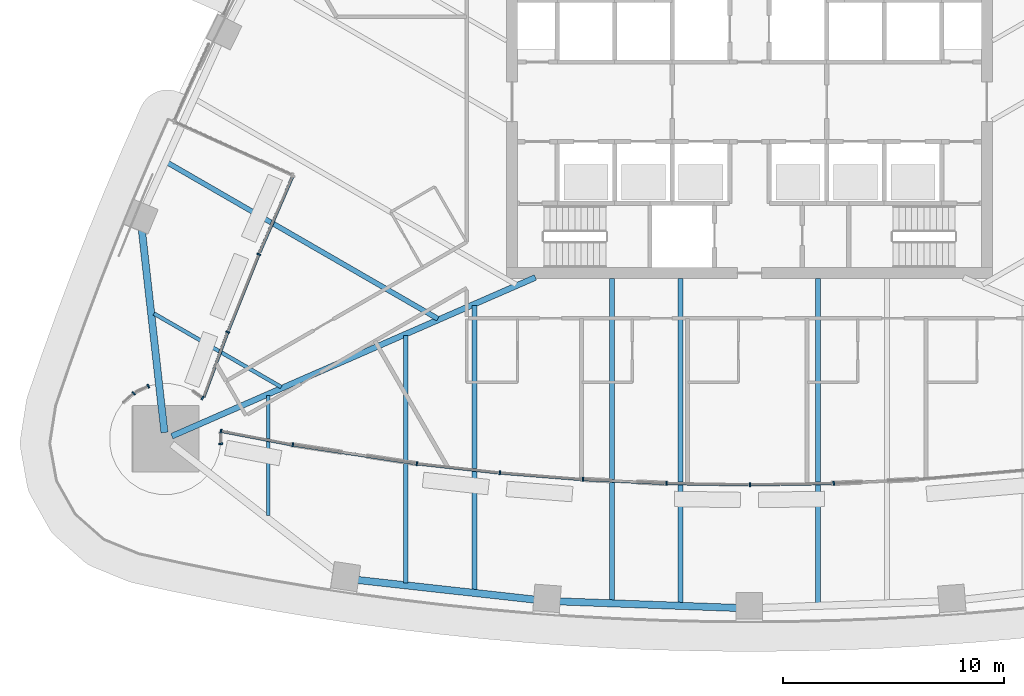
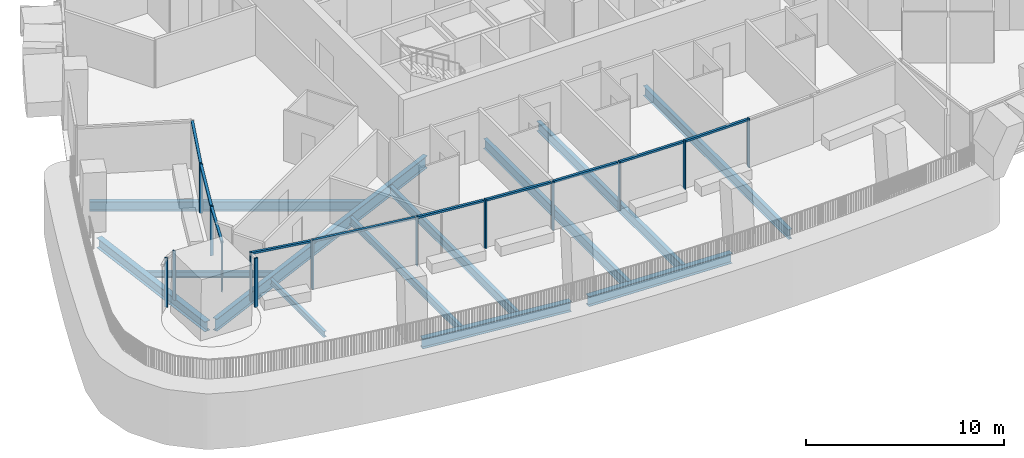
# One storey, part 2 of 22: 24 members, 12 beams, 15 elements without a shape of their own.
"""IFC4 building model written with IfcOpenShell, lengths in metres."""

from ifc_helpers import new_model, si_unit, direction, frame, origin, origin_2d, place, context, subcontext, project, spatial, rectangle, i_section, extrude, material, layer, layer_set, material_profile, profile_set, type_object, element, aggregate, save


model = new_model("IFC4")

# Units and contexts
model_context = context("Model", 3, precision=1e-05, world=origin(), true_north=direction((0.0, 1.0)))
body_context = subcontext(model_context, "Body", "Model", "MODEL_VIEW")
ifc_project = project(units=[si_unit("LENGTHUNIT", "METRE"), si_unit("AREAUNIT", "SQUARE_METRE"), si_unit("VOLUMEUNIT", "CUBIC_METRE"), si_unit("PLANEANGLEUNIT", "RADIAN"), si_unit("MASSUNIT", "GRAM", prefix="KILO")], contexts=[model_context])

# Site, building, storey
site_placement = place(None, origin())
site = spatial("IfcSite", under=ifc_project, at=site_placement, CompositionType="ELEMENT")
building_placement = place(site_placement, origin())
building = spatial("IfcBuilding", under=site, at=building_placement, Name="Sierra Prisma Convention Tower", CompositionType="ELEMENT")
storey_placement = place(building_placement, frame((0.0, 0.0, 73.89990234375)))
storey = spatial("IfcBuildingStorey", under=building, at=storey_placement, Name="L14", CompositionType="ELEMENT", Elevation=73.89990234375)

# Curtain wall, member
ifc_material_1 = material(Name="Aluminium and glass curtain wall", Category="aluminium")
ifc_layer = layer(ifc_material_1, 0.179931640625)
ifc_layer_set = layer_set([ifc_layer], Name="CW-6 Terrace recess curtain wall")
curtain_wall_type = type_object("IfcCurtainWallType", Name="CW-6 Terrace recess curtain wall", PredefinedType="NOTDEFINED", material=ifc_layer_set)
curtain_wall_1_placement = place(storey_placement, origin())
curtain_wall_1 = element("IfcCurtainWall", 1, at=curtain_wall_1_placement, inside=storey, type_object=curtain_wall_type, Name="CW-6 R2 L14", PredefinedType="NOTDEFINED")
ifc_material_2 = material(Name="Aluminium 6063-T6 bronze anodised", Category="aluminium")
ifc_material_profile_1 = material_profile(ifc_material_2, rectangle(XDim=0.179931640625, YDim=0.070068359375, at=origin_2d()), Name="ALU MULLION 70x180")
ifc_profile_set_1 = profile_set([ifc_material_profile_1], Name="Aluminium 6063-T6 bronze anodised")
member_type_1 = type_object("IfcMemberType", Name="CW mullion bronze", PredefinedType="MULLION", material=ifc_profile_set_1)
member_1_placement = place(storey_placement, frame((-22.21142578125, -6.907958984375, 0.0), z_axis=(0.0, 0.0, 1.0), x_axis=(0.928351268204, -0.371704079644, 0.0)))
member_1 = element("IfcMember", 2, at=member_1_placement, type_object=member_type_1, Name="CW-6 mullion R2.1", PredefinedType="MULLION", context=body_context, shape_type="SweptSolid", body=[
    extrude(rectangle(XDim=0.179931640625, YDim=0.070068359375, at=origin_2d()), origin(), (0.0, 0.0, 1.0), 3.0400390625),
])

curtain_wall_2_placement = place(storey_placement, origin())
curtain_wall_2 = element("IfcCurtainWall", 3, at=curtain_wall_2_placement, inside=storey, type_object=curtain_wall_type, Name="CW-6 R3 L14", PredefinedType="NOTDEFINED")
member_2_placement = place(storey_placement, frame((-23.6171875, -10.421630859375, 0.0), z_axis=(0.0, 0.0, 1.0), x_axis=(0.938138076007, -0.346261390203, 0.0)))
member_2 = element("IfcMember", 4, at=member_2_placement, type_object=member_type_1, Name="CW-6 mullion R3.1", PredefinedType="MULLION", context=body_context, shape_type="SweptSolid", body=[
    extrude(rectangle(XDim=0.179931640625, YDim=0.070068359375, at=origin_2d()), origin(), (0.0, 0.0, 1.0), 3.0400390625),
])

curtain_wall_3_placement = place(storey_placement, origin())
curtain_wall_3 = element("IfcCurtainWall", 5, at=curtain_wall_3_placement, inside=storey, type_object=curtain_wall_type, Name="CW-6 R4 L14", PredefinedType="NOTDEFINED")
member_3_placement = place(storey_placement, frame((-24.7568359375, -13.41162109375, 0.0), z_axis=(0.0, 0.0, 1.0), x_axis=(-0.58570419655, -0.810524888047, 0.0)))
member_3 = element("IfcMember", 6, at=member_3_placement, type_object=member_type_1, Name="CW-6 mullion R4.1", PredefinedType="MULLION", context=body_context, shape_type="SweptSolid", body=[
    extrude(rectangle(XDim=0.179931640625, YDim=0.070068359375, at=origin_2d()), origin(), (0.0, 0.0, 1.0), 3.0400390625),
])
aggregate(curtain_wall_3, [member_3])

curtain_wall_4_placement = place(storey_placement, origin())
curtain_wall_4 = element("IfcCurtainWall", 7, at=curtain_wall_4_placement, inside=storey, type_object=curtain_wall_type, Name="CW-6 R9 L14", PredefinedType="NOTDEFINED")
member_4_placement = place(storey_placement, frame((-27.213134765625, -12.873046875, 0.0), z_axis=(0.0, 0.0, 1.0), x_axis=(0.42755509343, -0.903989293123, 0.0)))
member_4 = element("IfcMember", 8, at=member_4_placement, type_object=member_type_1, Name="CW-6 mullion R9.1", PredefinedType="MULLION", context=body_context, shape_type="SweptSolid", body=[
    extrude(rectangle(XDim=0.179931640625, YDim=0.070068359375, at=origin_2d()), origin(), (0.0, 0.0, 1.0), 3.0400390625),
])
aggregate(curtain_wall_4, [member_4])

curtain_wall_5_placement = place(storey_placement, origin())
curtain_wall_5 = element("IfcCurtainWall", 9, at=curtain_wall_5_placement, inside=storey, type_object=curtain_wall_type, Name="CW-6 R10 L14", PredefinedType="NOTDEFINED")
member_5_placement = place(storey_placement, frame((-27.87646484375, -13.19775390625, 0.0), z_axis=(0.0, 0.0, 1.0), x_axis=(0.671558954847, -0.740951125355, 0.0)))
member_5 = element("IfcMember", 10, at=member_5_placement, type_object=member_type_1, Name="CW-6 mullion R10.1", PredefinedType="MULLION", context=body_context, shape_type="SweptSolid", body=[
    extrude(rectangle(XDim=0.179931640625, YDim=0.070068359375, at=origin_2d()), origin(), (0.0, 0.0, 1.0), 3.0400390625),
])
aggregate(curtain_wall_5, [member_5])

curtain_wall_6_placement = place(storey_placement, origin())
curtain_wall_6 = element("IfcCurtainWall", 11, at=curtain_wall_6_placement, inside=storey, type_object=curtain_wall_type, Name="CW-6 R30 L14", PredefinedType="NOTDEFINED")
member_6_placement = place(storey_placement, frame((-23.94140625, -15.48291015625, 0.0), z_axis=(0.0, 0.0, 1.0), x_axis=(-0.999576705672, -0.029093117348, 0.0)))
member_6 = element("IfcMember", 12, at=member_6_placement, type_object=member_type_1, Name="CW-6 mullion R30.1", PredefinedType="MULLION", context=body_context, shape_type="SweptSolid", body=[
    extrude(rectangle(XDim=0.179931640625, YDim=0.070068359375, at=origin_2d()), origin(), (0.0, 0.0, 1.0), 3.0400390625),
])
aggregate(curtain_wall_6, [member_6])

curtain_wall_7_placement = place(storey_placement, origin())
curtain_wall_7 = element("IfcCurtainWall", 13, at=curtain_wall_7_placement, inside=storey, type_object=curtain_wall_type, Name="CW-6 R31 L14", PredefinedType="NOTDEFINED")
member_7_placement = place(storey_placement, frame((-23.924072265625, -14.909423828125, 0.0), z_axis=(0.0, 0.0, 1.0), x_axis=(0.187949383217, 0.982178715585, 0.0)))
member_7 = element("IfcMember", 14, at=member_7_placement, type_object=member_type_1, Name="CW-6 mullion R31.1", PredefinedType="MULLION", context=body_context, shape_type="SweptSolid", body=[
    extrude(rectangle(XDim=0.179931640625, YDim=0.070068359375, at=origin_2d()), origin(), (0.0, 0.0, 1.0), 3.0400390625),
])

curtain_wall_8_placement = place(storey_placement, origin())
curtain_wall_8 = element("IfcCurtainWall", 15, at=curtain_wall_8_placement, inside=storey, type_object=curtain_wall_type, Name="CW-6 R32 L14", PredefinedType="NOTDEFINED")
member_8_placement = place(storey_placement, frame((-20.671142578125, -15.530517578125, 0.0), z_axis=(0.0, 0.0, 1.0), x_axis=(0.150009421404, 0.988684567236, 0.0)))
member_8 = element("IfcMember", 16, at=member_8_placement, type_object=member_type_1, Name="CW-6 mullion R32.1", PredefinedType="MULLION", context=body_context, shape_type="SweptSolid", body=[
    extrude(rectangle(XDim=0.179931640625, YDim=0.070068359375, at=origin_2d()), origin(), (0.0, 0.0, 1.0), 3.0400390625),
])

curtain_wall_9_placement = place(storey_placement, origin())
curtain_wall_9 = element("IfcCurtainWall", 17, at=curtain_wall_9_placement, inside=storey, type_object=curtain_wall_type, Name="CW-6 R33 L14", PredefinedType="NOTDEFINED")
member_9_placement = place(storey_placement, frame((-15.06005859375, -16.380615234375, 0.0), z_axis=(0.0, 0.0, 1.0), x_axis=(0.110724561376, 0.993851131462, 0.0)))
member_9 = element("IfcMember", 18, at=member_9_placement, type_object=member_type_1, Name="CW-6 mullion R33.1", PredefinedType="MULLION", context=body_context, shape_type="SweptSolid", body=[
    extrude(rectangle(XDim=0.179931640625, YDim=0.070068359375, at=origin_2d()), origin(), (0.0, 0.0, 1.0), 3.0400390625),
])

curtain_wall_10_placement = place(storey_placement, origin())
curtain_wall_10 = element("IfcCurtainWall", 19, at=curtain_wall_10_placement, inside=storey, type_object=curtain_wall_type, Name="CW-6 R34 L14", PredefinedType="NOTDEFINED")
member_10_placement = place(storey_placement, frame((-11.299560546875, -16.79833984375, 0.0), z_axis=(0.0, 0.0, 1.0), x_axis=(0.079168540381, 0.996861245216, 0.0)))
member_10 = element("IfcMember", 20, at=member_10_placement, type_object=member_type_1, Name="CW-6 mullion R34.1", PredefinedType="MULLION", context=body_context, shape_type="SweptSolid", body=[
    extrude(rectangle(XDim=0.179931640625, YDim=0.070068359375, at=origin_2d()), origin(), (0.0, 0.0, 1.0), 3.0400390625),
])

curtain_wall_11_placement = place(storey_placement, origin())
curtain_wall_11 = element("IfcCurtainWall", 21, at=curtain_wall_11_placement, inside=storey, type_object=curtain_wall_type, Name="CW-6 R35 L14", PredefinedType="NOTDEFINED")
member_11_placement = place(storey_placement, frame((-7.527587890625, -17.096923828125, 0.0), z_axis=(0.0, 0.0, 1.0), x_axis=(0.047532967413, 0.998869669681, 0.0)))
member_11 = element("IfcMember", 22, at=member_11_placement, type_object=member_type_1, Name="CW-6 mullion R35.1", PredefinedType="MULLION", context=body_context, shape_type="SweptSolid", body=[
    extrude(rectangle(XDim=0.179931640625, YDim=0.070068359375, at=origin_2d()), origin(), (0.0, 0.0, 1.0), 3.0400390625),
])

curtain_wall_12_placement = place(storey_placement, origin())
curtain_wall_12 = element("IfcCurtainWall", 23, at=curtain_wall_12_placement, inside=storey, type_object=curtain_wall_type, Name="CW-6 R36 L14", PredefinedType="NOTDEFINED")
member_12_placement = place(storey_placement, frame((-3.748291015625, -17.275634765625, 0.0), z_axis=(0.0, 0.0, 1.0), x_axis=(0.015849631263, 0.999874386705, 0.0)))
member_12 = element("IfcMember", 24, at=member_12_placement, type_object=member_type_1, Name="CW-6 mullion R36.1", PredefinedType="MULLION", context=body_context, shape_type="SweptSolid", body=[
    extrude(rectangle(XDim=0.179931640625, YDim=0.070068359375, at=origin_2d()), origin(), (0.0, 0.0, 1.0), 3.0400390625),
])

curtain_wall_13_placement = place(storey_placement, origin())
curtain_wall_13 = element("IfcCurtainWall", 25, at=curtain_wall_13_placement, inside=storey, type_object=curtain_wall_type, Name="CW-6 R37 L14", PredefinedType="NOTDEFINED")
member_13_placement = place(storey_placement, frame((0.034912109375, -17.33447265625, 0.0), z_axis=(0.0, 0.0, 1.0), x_axis=(-0.015849631263, 0.999874386705, 0.0)))
member_13 = element("IfcMember", 26, at=member_13_placement, type_object=member_type_1, Name="CW-6 mullion R37.1", PredefinedType="MULLION", context=body_context, shape_type="SweptSolid", body=[
    extrude(rectangle(XDim=0.179931640625, YDim=0.070068359375, at=origin_2d()), origin(), (0.0, 0.0, 1.0), 3.0400390625),
])

curtain_wall_14_placement = place(storey_placement, origin())
curtain_wall_14 = element("IfcCurtainWall", 27, at=curtain_wall_14_placement, inside=storey, type_object=curtain_wall_type, Name="CW-6 R38 L14", PredefinedType="NOTDEFINED")
member_14_placement = place(storey_placement, frame((3.818115234375, -17.2734375, 0.0), z_axis=(0.0, 0.0, 1.0), x_axis=(-0.047532967413, 0.998869669681, 0.0)))
member_14 = element("IfcMember", 28, at=member_14_placement, type_object=member_type_1, Name="CW-6 mullion R38.1", PredefinedType="MULLION", context=body_context, shape_type="SweptSolid", body=[
    extrude(rectangle(XDim=0.179931640625, YDim=0.070068359375, at=origin_2d()), origin(), (0.0, 0.0, 1.0), 3.0400390625),
])
aggregate(curtain_wall_14, [member_14])

curtain_wall_15_placement = place(storey_placement, origin())
curtain_wall_15 = element("IfcCurtainWall", 29, at=curtain_wall_15_placement, inside=storey, type_object=curtain_wall_type, Name="CW-6 R1 L14", PredefinedType="NOTDEFINED")
ifc_material_3 = material(Name="Aluminium 6063-T6 bronze anodised", Category="aluminium")
ifc_material_profile_2 = material_profile(ifc_material_3, rectangle(XDim=0.139892578125, YDim=0.1201171875, at=origin_2d()), Name="ALU TRANSOM 120x140")
ifc_profile_set_2 = profile_set([ifc_material_profile_2], Name="Aluminium 6063-T6 bronze anodised")
member_type_2 = type_object("IfcMemberType", Name="CW transom bronze", PredefinedType="USERDEFINED", material=ifc_profile_set_2)
member_15_placement = place(storey_placement, frame((-20.685302734375, -3.3916015625, 2.97998046875), z_axis=(-0.398340562514, -0.917237589862, 0.0), x_axis=(0.917237589862, -0.398340562514, 0.0)))
member_15 = element("IfcMember", 30, at=member_15_placement, type_object=member_type_2, Name="CW-6 transom R1.1", ObjectType="TRANSOM", PredefinedType="USERDEFINED", context=body_context, shape_type="SweptSolid", body=[
    extrude(rectangle(XDim=0.139892578125, YDim=0.1201171875, at=origin_2d()), origin(), (0.0, 0.0, 1.0), 3.728271484375),
])
aggregate(curtain_wall_15, [member_15])

# Member
member_16_placement = place(storey_placement, frame((-22.224365234375, -6.9404296875, 2.97998046875), z_axis=(-0.371725600467, -0.928342651157, 0.0), x_axis=(0.928342651157, -0.371725600467, 0.0)))
member_16 = element("IfcMember", 31, at=member_16_placement, type_object=member_type_2, Name="CW-6 transom R2.1", ObjectType="TRANSOM", PredefinedType="USERDEFINED", context=body_context, shape_type="SweptSolid", body=[
    extrude(rectangle(XDim=0.139892578125, YDim=0.1201171875, at=origin_2d()), origin(), (0.0, 0.0, 1.0), 3.64453125),
])

aggregate(curtain_wall_1, [member_1, member_16])

member_17_placement = place(storey_placement, frame((-23.62939453125, -10.454345703125, 2.97998046875), z_axis=(-0.346222869932, -0.93815229272, 0.0), x_axis=(0.93815229272, -0.346222869932, 0.0)))
member_17 = element("IfcMember", 32, at=member_17_placement, type_object=member_type_2, Name="CW-6 transom R3.1", ObjectType="TRANSOM", PredefinedType="USERDEFINED", context=body_context, shape_type="SweptSolid", body=[
    extrude(rectangle(XDim=0.139892578125, YDim=0.1201171875, at=origin_2d()), origin(), (0.0, 0.0, 1.0), 3.10400390625),
])

aggregate(curtain_wall_2, [member_2, member_17])

member_18_placement = place(storey_placement, frame((-23.8896484375, -14.916015625, 2.97998046875), z_axis=(0.982175152273, -0.18796800328, 0.0), x_axis=(0.18796800328, 0.982175152273, 0.0)))
member_18 = element("IfcMember", 33, at=member_18_placement, type_object=member_type_2, Name="CW-6 transom R31.1", ObjectType="TRANSOM", PredefinedType="USERDEFINED", context=body_context, shape_type="SweptSolid", body=[
    extrude(rectangle(XDim=0.139892578125, YDim=0.1201171875, at=origin_2d()), origin(), (0.0, 0.0, 1.0), 3.171875),
])

aggregate(curtain_wall_7, [member_7, member_18])

member_19_placement = place(storey_placement, frame((-20.636474609375, -15.535888671875, 2.97998046875), z_axis=(0.988684203103, -0.150011821314, 0.0), x_axis=(0.150011821314, 0.988684203103, 0.0)))
member_19 = element("IfcMember", 34, at=member_19_placement, type_object=member_type_2, Name="CW-6 transom R32.1", ObjectType="TRANSOM", PredefinedType="USERDEFINED", context=body_context, shape_type="SweptSolid", body=[
    extrude(rectangle(XDim=0.139892578125, YDim=0.1201171875, at=origin_2d()), origin(), (0.0, 0.0, 1.0), 5.53515625),
])

aggregate(curtain_wall_8, [member_8, member_19])

member_20_placement = place(storey_placement, frame((-15.025146484375, -16.384521484375, 2.97998046875), z_axis=(0.99385428151, -0.110696283243, 0.0), x_axis=(0.110696283243, 0.99385428151, 0.0)))
member_20 = element("IfcMember", 35, at=member_20_placement, type_object=member_type_2, Name="CW-6 transom R33.1", ObjectType="TRANSOM", PredefinedType="USERDEFINED", context=body_context, shape_type="SweptSolid", body=[
    extrude(rectangle(XDim=0.139892578125, YDim=0.1201171875, at=origin_2d()), origin(), (0.0, 0.0, 1.0), 3.6435546875),
])

aggregate(curtain_wall_9, [member_9, member_20])

member_21_placement = place(storey_placement, frame((-11.2646484375, -16.80126953125, 2.97998046875), z_axis=(0.996864302054, -0.079130040377, 0.0), x_axis=(0.079130040377, 0.996864302054, 0.0)))
member_21 = element("IfcMember", 36, at=member_21_placement, type_object=member_type_2, Name="CW-6 transom R34.1", ObjectType="TRANSOM", PredefinedType="USERDEFINED", context=body_context, shape_type="SweptSolid", body=[
    extrude(rectangle(XDim=0.139892578125, YDim=0.1201171875, at=origin_2d()), origin(), (0.0, 0.0, 1.0), 3.643798828125),
])

aggregate(curtain_wall_10, [member_10, member_21])

member_22_placement = place(storey_placement, frame((-7.49267578125, -17.0986328125, 2.97998046875), z_axis=(0.998871016085, -0.047504665307, 0.0), x_axis=(0.047504665307, 0.998871016085, 0.0)))
member_22 = element("IfcMember", 37, at=member_22_placement, type_object=member_type_2, Name="CW-6 transom R35.1", ObjectType="TRANSOM", PredefinedType="USERDEFINED", context=body_context, shape_type="SweptSolid", body=[
    extrude(rectangle(XDim=0.139892578125, YDim=0.1201171875, at=origin_2d()), origin(), (0.0, 0.0, 1.0), 3.643798828125),
])

aggregate(curtain_wall_11, [member_11, member_22])

member_23_placement = place(storey_placement, frame((-3.713134765625, -17.276123046875, 2.97998046875), z_axis=(0.999873895533, -0.0158805866, 0.0), x_axis=(0.0158805866, 0.999873895533, 0.0)))
member_23 = element("IfcMember", 38, at=member_23_placement, type_object=member_type_2, Name="CW-6 transom R36.1", ObjectType="TRANSOM", PredefinedType="USERDEFINED", context=body_context, shape_type="SweptSolid", body=[
    extrude(rectangle(XDim=0.139892578125, YDim=0.1201171875, at=origin_2d()), origin(), (0.0, 0.0, 1.0), 3.6435546875),
])

aggregate(curtain_wall_12, [member_12, member_23])

member_24_placement = place(storey_placement, frame((0.070068359375, -17.333984375, 2.97998046875), z_axis=(0.999873895533, 0.0158805866, 0.0), x_axis=(-0.0158805866, 0.999873895533, 0.0)))
member_24 = element("IfcMember", 39, at=member_24_placement, type_object=member_type_2, Name="CW-6 transom R37.1", ObjectType="TRANSOM", PredefinedType="USERDEFINED", context=body_context, shape_type="SweptSolid", body=[
    extrude(rectangle(XDim=0.139892578125, YDim=0.1201171875, at=origin_2d()), origin(), (0.0, 0.0, 1.0), 3.6435546875),
])

aggregate(curtain_wall_13, [member_13, member_24])

# Beams
ifc_material_4 = material(Name="Steel ASTM A992 Gr 50", Category="steel")
ifc_material_profile_3 = material_profile(ifc_material_4, i_section(OverallWidth=0.172119140625, OverallDepth=0.35791015625, WebThickness=0.0078125, FlangeThickness=0.01318359375, at=origin_2d()), Name="W360x57")
ifc_profile_set_3 = profile_set([ifc_material_profile_3], Name="Steel ASTM A992 Gr 50")
beam_type_1 = type_object("IfcBeamType", Name="Floor joist W360x57", PredefinedType="JOIST", material=ifc_profile_set_3)
beam_1_placement = place(storey_placement, frame((-21.781982421875, -18.73388671875, -0.47900390625), z_axis=(0.0, 1.0, 0.0), x_axis=(-1.0, 0.0, 0.0)))
element("IfcBeam", 40, at=beam_1_placement, inside=storey, type_object=beam_type_1, Name="Floor joist L14 S02", PredefinedType="JOIST", context=body_context, shape_type="SweptSolid", body=[
    extrude(i_section(OverallWidth=0.172119140625, OverallDepth=0.35791015625, WebThickness=0.0078125, FlangeThickness=0.01318359375, at=origin_2d()), origin(), (0.0, 0.0, 1.0), 5.443603515625),
])
beam_2_placement = place(storey_placement, frame((-26.96142578125, -9.585693359375, -0.47900390625), z_axis=(0.866033637652, -0.499985738252, 0.0), x_axis=(0.499985738252, 0.866033637652, 0.0)))
element("IfcBeam", 41, at=beam_2_placement, inside=storey, type_object=beam_type_1, Name="Floor joist L14 NW16", PredefinedType="JOIST", context=body_context, shape_type="SweptSolid", body=[
    extrude(i_section(OverallWidth=0.172119140625, OverallDepth=0.35791015625, WebThickness=0.0078125, FlangeThickness=0.01318359375, at=origin_2d()), origin(), (0.0, 0.0, 1.0), 6.662353515625),
])
ifc_material_5 = material(Name="Steel ASTM A992 Gr 50", Category="steel")
ifc_material_profile_4 = material_profile(ifc_material_5, i_section(OverallWidth=0.18994140625, OverallDepth=0.45703125, WebThickness=0.009033203125, FlangeThickness=0.014404296875, at=origin_2d()), Name="W460x74")
ifc_profile_set_4 = profile_set([ifc_material_profile_4], Name="Steel ASTM A992 Gr 50")
beam_type_2 = type_object("IfcBeamType", Name="Floor joist W460x74", PredefinedType="JOIST", material=ifc_profile_set_4)
beam_3_placement = place(storey_placement, frame((-15.55859375, -21.77783203125, -0.5283203125), z_axis=(0.0, 1.0, 0.0), x_axis=(-1.0, 0.0, 0.0)))
element("IfcBeam", 42, at=beam_3_placement, inside=storey, type_object=beam_type_2, Name="Floor joist L14 S04", PredefinedType="JOIST", context=body_context, shape_type="SweptSolid", body=[
    extrude(i_section(OverallWidth=0.18994140625, OverallDepth=0.45703125, WebThickness=0.009033203125, FlangeThickness=0.014404296875, at=origin_2d()), origin(), (0.0, 0.0, 1.0), 11.205322265625),
])
ifc_material_6 = material(Name="Steel ASTM A992 Gr 50", Category="steel")
ifc_material_profile_5 = material_profile(ifc_material_6, i_section(OverallWidth=0.208984375, OverallDepth=0.532958984375, WebThickness=0.01025390625, FlangeThickness=0.015625, at=origin_2d()), Name="W530x92")
ifc_profile_set_5 = profile_set([ifc_material_profile_5], Name="Steel ASTM A992 Gr 50")
beam_type_3 = type_object("IfcBeamType", Name="Floor joist W530x92", PredefinedType="JOIST", material=ifc_profile_set_5)
beam_4_placement = place(storey_placement, frame((-12.447021484375, -22.1220703125, -0.56640625), z_axis=(0.0, 1.0, 0.0), x_axis=(-1.0, 0.0, 0.0)))
element("IfcBeam", 43, at=beam_4_placement, inside=storey, type_object=beam_type_3, Name="Floor joist L14 S05", PredefinedType="JOIST", context=body_context, shape_type="SweptSolid", body=[
    extrude(i_section(OverallWidth=0.208984375, OverallDepth=0.532958984375, WebThickness=0.01025390625, FlangeThickness=0.015625, at=origin_2d()), origin(), (0.0, 0.0, 1.0), 12.908447265625),
])
ifc_material_7 = material(Name="Steel ASTM A992 Gr 50", Category="steel")
ifc_material_profile_6 = material_profile(ifc_material_7, i_section(OverallWidth=0.22802734375, OverallDepth=0.60302734375, WebThickness=0.010498046875, FlangeThickness=0.014892578125, at=origin_2d()), Name="W610x101")
ifc_profile_set_6 = profile_set([ifc_material_profile_6], Name="Steel ASTM A992 Gr 50")
beam_type_4 = type_object("IfcBeamType", Name="Floor joist W610x101", PredefinedType="JOIST", material=ifc_profile_set_6)
beam_5_placement = place(storey_placement, frame((-6.223388671875, -22.593994140625, -0.601318359375), z_axis=(0.0, 1.0, 0.0), x_axis=(-1.0, 0.0, 0.0)))
element("IfcBeam", 44, at=beam_5_placement, inside=storey, type_object=beam_type_4, Name="Floor joist L14 S07", PredefinedType="JOIST", context=body_context, shape_type="SweptSolid", body=[
    extrude(i_section(OverallWidth=0.22802734375, OverallDepth=0.60302734375, WebThickness=0.010498046875, FlangeThickness=0.014892578125, at=origin_2d()), origin(), (0.0, 0.0, 1.0), 14.593994140625),
])
for number, where, z_axis, x_axis, name in (
    (45, (-3.11181640625, -22.708251953125, -0.601318359375), (0.0, 1.0, 0.0), (-1.0, 0.0, 0.0), "Floor joist L14 S08"),
    (46, (3.11181640625, -22.708251953125, -0.601318359375), (0.0, 1.0, 0.0), (-1.0, 0.0, 0.0), "Floor joist L14 S10"),
):
    element("IfcBeam", number, at=place(storey_placement, frame(where, z_axis=z_axis, x_axis=x_axis)), inside=storey, type_object=beam_type_4, Name=name, PredefinedType="JOIST", context=body_context, shape_type="SweptSolid", body=[
        extrude(i_section(OverallWidth=0.22802734375, OverallDepth=0.60302734375, WebThickness=0.010498046875, FlangeThickness=0.014892578125, at=origin_2d()), origin(), (0.0, 0.0, 1.0), 14.708251953125),
    ])
beam_6_placement = place(storey_placement, frame((-26.339111328125, -2.758544921875, -0.601318359375), z_axis=(0.866022405481, -0.500005193178, 0.0), x_axis=(0.500005193178, 0.866022405481, 0.0)))
element("IfcBeam", 47, at=beam_6_placement, inside=storey, type_object=beam_type_4, Name="Floor joist L14 NW14", PredefinedType="JOIST", context=body_context, shape_type="SweptSolid", body=[
    extrude(i_section(OverallWidth=0.22802734375, OverallDepth=0.60302734375, WebThickness=0.010498046875, FlangeThickness=0.014892578125, at=origin_2d()), origin(), (0.0, 0.0, 1.0), 14.126708984375),
])
ifc_material_8 = material(Name="Steel ASTM A992 Gr 50", Category="steel")
ifc_material_profile_7 = material_profile(ifc_material_8, i_section(OverallWidth=0.264892578125, OverallDepth=0.7529296875, WebThickness=0.01318359375, FlangeThickness=0.01708984375, at=origin_2d()), Name="W760x147")
ifc_profile_set_7 = profile_set([ifc_material_profile_7], Name="Steel ASTM A992 Gr 50")
beam_type_5 = type_object("IfcBeamType", Name="Radial girder W760x147", PredefinedType="BEAM", material=ifc_profile_set_7)
beam_7_placement = place(storey_placement, frame((-26.149658203125, -15.1396484375, -0.5263671875), z_axis=(0.916430720854, 0.400193370603, 0.0), x_axis=(-0.400193370603, 0.916430720854, 0.0)))
element("IfcBeam", 48, at=beam_7_placement, inside=storey, type_object=beam_type_5, Name="Radial girder L14 SW", PredefinedType="BEAM", context=body_context, shape_type="SweptSolid", body=[
    extrude(i_section(OverallWidth=0.264892578125, OverallDepth=0.7529296875, WebThickness=0.01318359375, FlangeThickness=0.01708984375, at=origin_2d()), origin(), (0.0, 0.0, 1.0), 17.960693359375),
])
ifc_material_9 = material(Name="Steel ASTM A992 Gr 50", Category="steel")
ifc_material_profile_8 = material_profile(ifc_material_9, i_section(OverallWidth=0.324951171875, OverallDepth=0.615966796875, WebThickness=0.013916015625, FlangeThickness=0.021484375, at=origin_2d()), Name="W610x174")
ifc_profile_set_8 = profile_set([ifc_material_profile_8], Name="Steel ASTM A992 Gr 50")
beam_type_6 = type_object("IfcBeamType", Name="Spandrel beam W610x174", PredefinedType="BEAM", material=ifc_profile_set_8)
beam_8_placement = place(storey_placement, frame((-17.82470703125, -21.640380859375, -0.60791015625), z_axis=(0.993929254664, -0.110021073996, 0.0), x_axis=(0.110021073996, 0.993929254664, 0.0)))
element("IfcBeam", 49, at=beam_8_placement, inside=storey, type_object=beam_type_6, Name="Spandrel L14-02", PredefinedType="BEAM", context=body_context, shape_type="SweptSolid", body=[
    extrude(i_section(OverallWidth=0.324951171875, OverallDepth=0.615966796875, WebThickness=0.013916015625, FlangeThickness=0.021484375, at=origin_2d()), origin(), (0.0, 0.0, 1.0), 8.22607421875),
])
beam_9_placement = place(storey_placement, frame((-8.691162109375, -22.61572265625, -0.60791015625), z_axis=(0.999325415892, -0.036724830198, 0.0), x_axis=(0.036724830198, 0.999325415892, 0.0)))
element("IfcBeam", 50, at=beam_9_placement, inside=storey, type_object=beam_type_6, Name="Spandrel L14-03", PredefinedType="BEAM", context=body_context, shape_type="SweptSolid", body=[
    extrude(i_section(OverallWidth=0.324951171875, OverallDepth=0.615966796875, WebThickness=0.013916015625, FlangeThickness=0.021484375, at=origin_2d()), origin(), (0.0, 0.0, 1.0), 8.216796875),
])
beam_10_placement = place(storey_placement, frame((-27.509765625, -5.775634765625, -0.60791015625), z_axis=(0.11095861303, -0.993825027957, 0.0), x_axis=(0.993825027957, 0.11095861303, 0.0)))
element("IfcBeam", 51, at=beam_10_placement, inside=storey, type_object=beam_type_6, Name="Spandrel L14-18", PredefinedType="BEAM", context=body_context, shape_type="SweptSolid", body=[
    extrude(i_section(OverallWidth=0.324951171875, OverallDepth=0.615966796875, WebThickness=0.013916015625, FlangeThickness=0.021484375, at=origin_2d()), origin(), (0.0, 0.0, 1.0), 9.252197265625),
])

save(model, "model.ifc")
